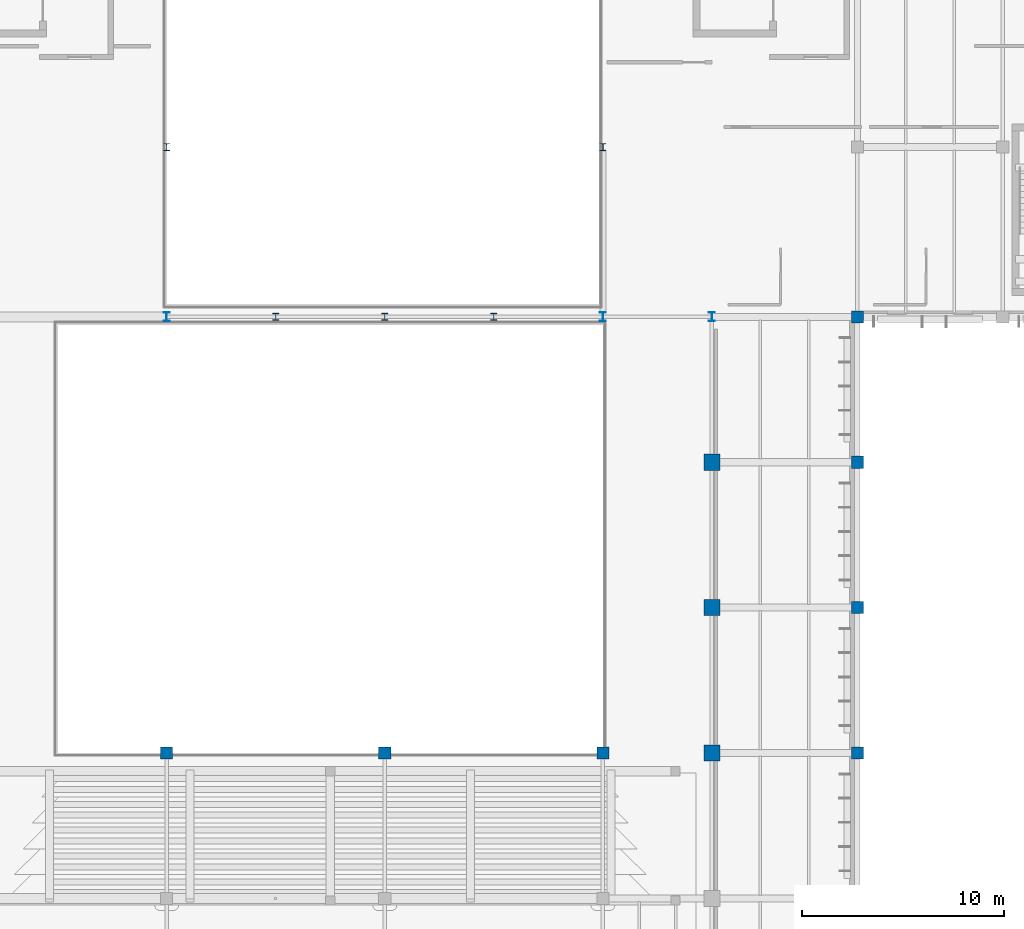
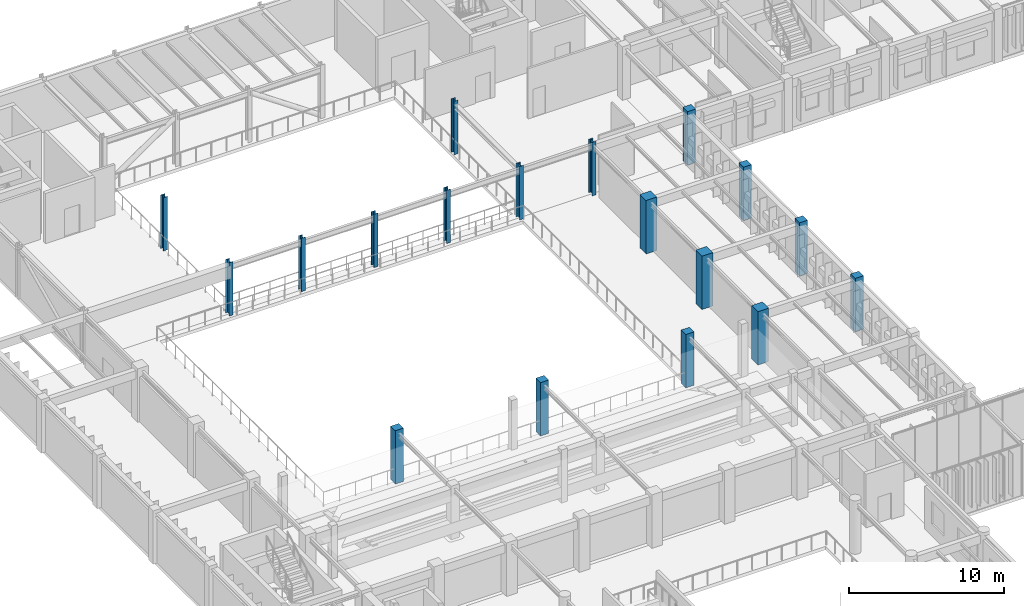
# One storey, part 8 of 122: 18 columns.
"""IFC4 building model written with IfcOpenShell, lengths in metres."""

from ifc_helpers import new_model, si_unit, direction, frame, origin, origin_2d, place, context, subcontext, project, spatial, rectangle, i_section, extrude, material, material_profile, profile_set, type_object, element, save


model = new_model("IFC4")

# Units and contexts
model_context = context("Model", 3, precision=1e-05, world=origin(), true_north=direction((0.0, 1.0)))
body_context = subcontext(model_context, "Body", "Model", "MODEL_VIEW")
ifc_project = project(units=[si_unit("LENGTHUNIT", "METRE"), si_unit("AREAUNIT", "SQUARE_METRE"), si_unit("VOLUMEUNIT", "CUBIC_METRE"), si_unit("PLANEANGLEUNIT", "RADIAN"), si_unit("MASSUNIT", "GRAM", prefix="KILO")], contexts=[model_context])

# Site, building, storey
site_placement = place(None, origin())
site = spatial("IfcSite", under=ifc_project, at=site_placement, CompositionType="ELEMENT")
building_placement = place(site_placement, origin())
building = spatial("IfcBuilding", under=site, at=building_placement, Name="Tazoul Stagehouse", CompositionType="ELEMENT")
storey_placement = place(building_placement, frame((0.0, 0.0, 4.800048828125)))
storey = spatial("IfcBuildingStorey", under=building, at=storey_placement, Name="L01", CompositionType="ELEMENT", Elevation=4.800048828125)

# Columns
ifc_material_1 = material(Name="Concrete C40/50", Category="concrete")
ifc_material_profile_1 = material_profile(ifc_material_1, rectangle(XDim=0.60009765625, YDim=0.60009765625, at=origin_2d()), Name="RC 600x600")
ifc_profile_set_1 = profile_set([ifc_material_profile_1], Name="Concrete C40/50")
column_type_1 = type_object("IfcColumnType", Name="RC Column 600x600", PredefinedType="COLUMN", material=ifc_profile_set_1)
for number, where, z_axis, x_axis, name in (
    (1, (68.39990234375, 66.199951171875, 0.0), (0.0, 0.0, 1.0), (1.0, 0.0, 0.0), "L01 Column C-03 at 10/K"),
    (2, (79.199951171875, 66.199951171875, 0.0), (0.0, 0.0, 1.0), (1.0, 0.0, 0.0), "L01 Column C-03 at 12/K"),
    (3, (90.0, 66.199951171875, 0.0), (0.0, 0.0, 1.0), (1.0, 0.0, 0.0), "L01 Column C-03 at 14/K"),
):
    element("IfcColumn", number, at=place(storey_placement, frame(where, z_axis=z_axis, x_axis=x_axis)), inside=storey, type_object=column_type_1, Name=name, PredefinedType="COLUMN", context=body_context, shape_type="SweptSolid", body=[
        extrude(rectangle(XDim=0.60009765625, YDim=0.60009765625, at=origin_2d()), origin(), (0.0, 0.0, 1.0), 4.199951171875),
    ])
ifc_material_profile_2 = material_profile(ifc_material_1, rectangle(XDim=0.60009765625, YDim=0.60009765625, at=origin_2d()), Name="RC 600x600")
ifc_profile_set_2 = profile_set([ifc_material_profile_2], Name="Concrete C40/50")
column_type_2 = type_object("IfcColumnType", Name="RC Column 600x600 (Exterior)", PredefinedType="COLUMN", material=ifc_profile_set_2)
for number, where, z_axis, x_axis, name in (
    (4, (102.60009765625, 66.199951171875, 0.0), (0.0, 0.0, 1.0), (1.0, 0.0, 0.0), "L01 Column C-03E at 16/K"),
    (5, (102.60009765625, 73.39990234375, 0.0), (0.0, 0.0, 1.0), (1.0, 0.0, 0.0), "L01 Column C-03E at 16/L"),
    (6, (102.60009765625, 80.60009765625, 0.0), (0.0, 0.0, 1.0), (1.0, 0.0, 0.0), "L01 Column C-03E at 16/M"),
    (7, (102.60009765625, 87.800048828125, 0.0), (0.0, 0.0, 1.0), (1.0, 0.0, 0.0), "L01 Column C-03E at 16/N"),
):
    element("IfcColumn", number, at=place(storey_placement, frame(where, z_axis=z_axis, x_axis=x_axis)), inside=storey, type_object=column_type_2, Name=name, PredefinedType="COLUMN", context=body_context, shape_type="SweptSolid", body=[
        extrude(rectangle(XDim=0.60009765625, YDim=0.60009765625, at=origin_2d()), origin(), (0.0, 0.0, 1.0), 4.199951171875),
    ])
ifc_material_profile_3 = material_profile(ifc_material_1, rectangle(XDim=0.800048828125, YDim=0.800048828125, at=origin_2d()), Name="RC 800x800")
ifc_profile_set_3 = profile_set([ifc_material_profile_3], Name="Concrete C40/50")
column_type_3 = type_object("IfcColumnType", Name="RC Column 800x800", PredefinedType="COLUMN", material=ifc_profile_set_3)
for number, where, z_axis, x_axis, name in (
    (8, (95.39990234375, 66.199951171875, 0.0), (0.0, 0.0, 1.0), (1.0, 0.0, 0.0), "L01 Column C-05 at 15/K"),
    (9, (95.39990234375, 73.39990234375, 0.0), (0.0, 0.0, 1.0), (1.0, 0.0, 0.0), "L01 Column C-05 at 15/L"),
    (10, (95.39990234375, 80.60009765625, 0.0), (0.0, 0.0, 1.0), (1.0, 0.0, 0.0), "L01 Column C-05 at 15/M"),
):
    element("IfcColumn", number, at=place(storey_placement, frame(where, z_axis=z_axis, x_axis=x_axis)), inside=storey, type_object=column_type_3, Name=name, PredefinedType="COLUMN", context=body_context, shape_type="SweptSolid", body=[
        extrude(rectangle(XDim=0.800048828125, YDim=0.800048828125, at=origin_2d()), origin(), (0.0, 0.0, 1.0), 4.199951171875),
    ])
ifc_material_2 = material(Name="Steel S355", Category="steel")
ifc_material_profile_4 = material_profile(ifc_material_2, i_section(OverallWidth=0.300048828125, OverallDepth=0.360107421875, WebThickness=0.012451171875, FlangeThickness=0.0224609375, FilletRadius=0.027099609375, at=origin_2d()), Name="HEB 360")
ifc_profile_set_4 = profile_set([ifc_material_profile_4], Name="Steel S355")
column_type_4 = type_object("IfcColumnType", Name="Steel Column HEB 360", PredefinedType="COLUMN", material=ifc_profile_set_4)
for number, where, z_axis, x_axis, name in (
    (11, (68.39990234375, 96.199951171875, 0.0), (0.0, 0.0, 1.0), (1.0, 0.0, 0.0), "L01 Column SC-03 at 10/P"),
    (12, (73.800048828125, 87.800048828125, 0.0), (0.0, 0.0, 1.0), (1.0, 0.0, 0.0), "L01 Column SC-03 at 11/N"),
    (13, (79.199951171875, 87.800048828125, 0.0), (0.0, 0.0, 1.0), (1.0, 0.0, 0.0), "L01 Column SC-03 at 12/N"),
    (14, (84.60009765625, 87.800048828125, 0.0), (0.0, 0.0, 1.0), (1.0, 0.0, 0.0), "L01 Column SC-03 at 13/N"),
    (15, (90.0, 96.199951171875, 0.0), (0.0, 0.0, 1.0), (1.0, 0.0, 0.0), "L01 Column SC-03 at 14/P"),
):
    element("IfcColumn", number, at=place(storey_placement, frame(where, z_axis=z_axis, x_axis=x_axis)), inside=storey, type_object=column_type_4, Name=name, PredefinedType="COLUMN", context=body_context, shape_type="SweptSolid", body=[
        extrude(i_section(OverallWidth=0.300048828125, OverallDepth=0.360107421875, WebThickness=0.012451171875, FlangeThickness=0.0224609375, FilletRadius=0.027099609375, at=origin_2d()), origin(), (0.0, 0.0, 1.0), 4.199951171875),
    ])
ifc_material_profile_5 = material_profile(ifc_material_2, i_section(OverallWidth=0.300048828125, OverallDepth=0.449951171875, WebThickness=0.013916015625, FlangeThickness=0.02587890625, FilletRadius=0.027099609375, at=origin_2d()), Name="HEB 450")
ifc_profile_set_5 = profile_set([ifc_material_profile_5], Name="Steel S355")
column_type_5 = type_object("IfcColumnType", Name="Steel Column HEB 450", PredefinedType="COLUMN", material=ifc_profile_set_5)
for number, where, z_axis, x_axis, name in (
    (16, (68.39990234375, 87.800048828125, 0.0), (0.0, 0.0, 1.0), (1.0, 0.0, 0.0), "L01 Column SC-05 at 10/N"),
    (17, (90.0, 87.800048828125, 0.0), (0.0, 0.0, 1.0), (1.0, 0.0, 0.0), "L01 Column SC-05 at 14/N"),
    (18, (95.39990234375, 87.800048828125, 0.0), (0.0, 0.0, 1.0), (1.0, 0.0, 0.0), "L01 Column SC-05 at 15/N"),
):
    element("IfcColumn", number, at=place(storey_placement, frame(where, z_axis=z_axis, x_axis=x_axis)), inside=storey, type_object=column_type_5, Name=name, PredefinedType="COLUMN", context=body_context, shape_type="SweptSolid", body=[
        extrude(i_section(OverallWidth=0.300048828125, OverallDepth=0.449951171875, WebThickness=0.013916015625, FlangeThickness=0.02587890625, FilletRadius=0.027099609375, at=origin_2d()), origin(), (0.0, 0.0, 1.0), 4.199951171875),
    ])

save(model, "model.ifc")
